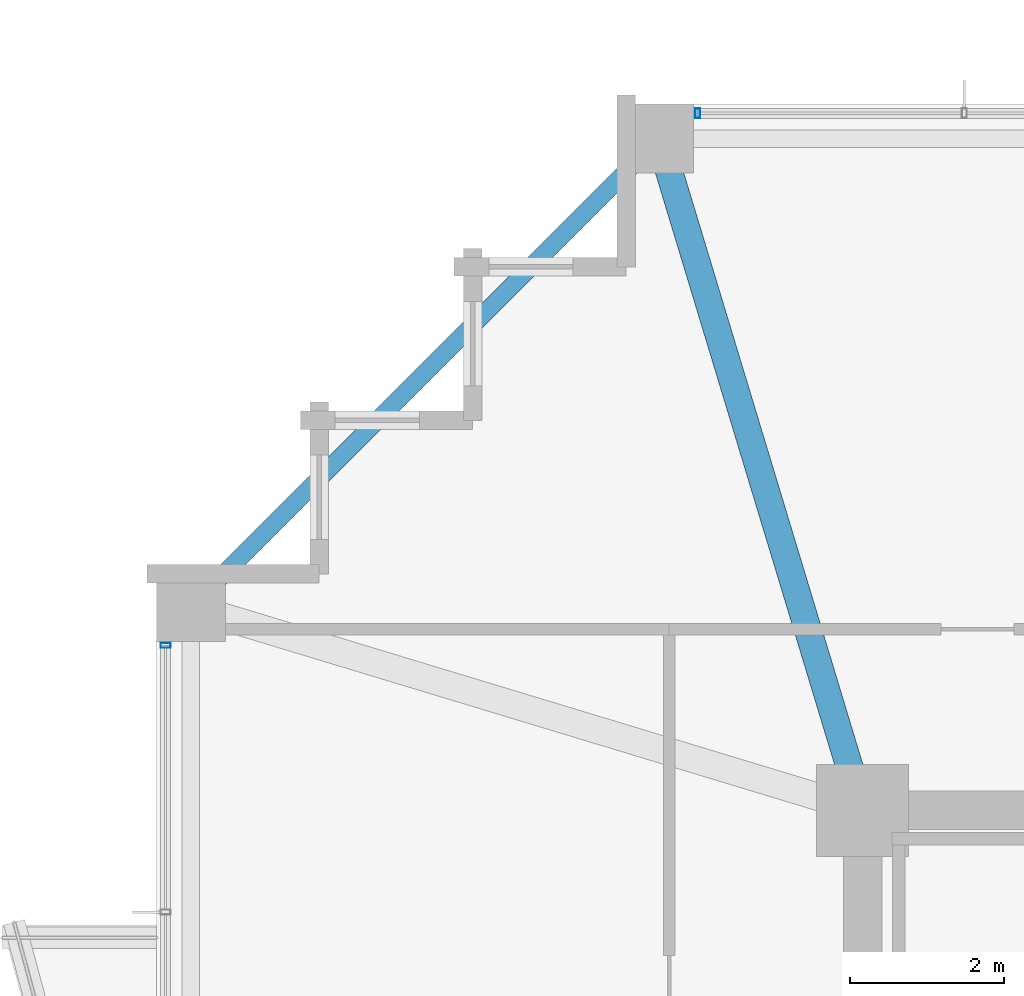
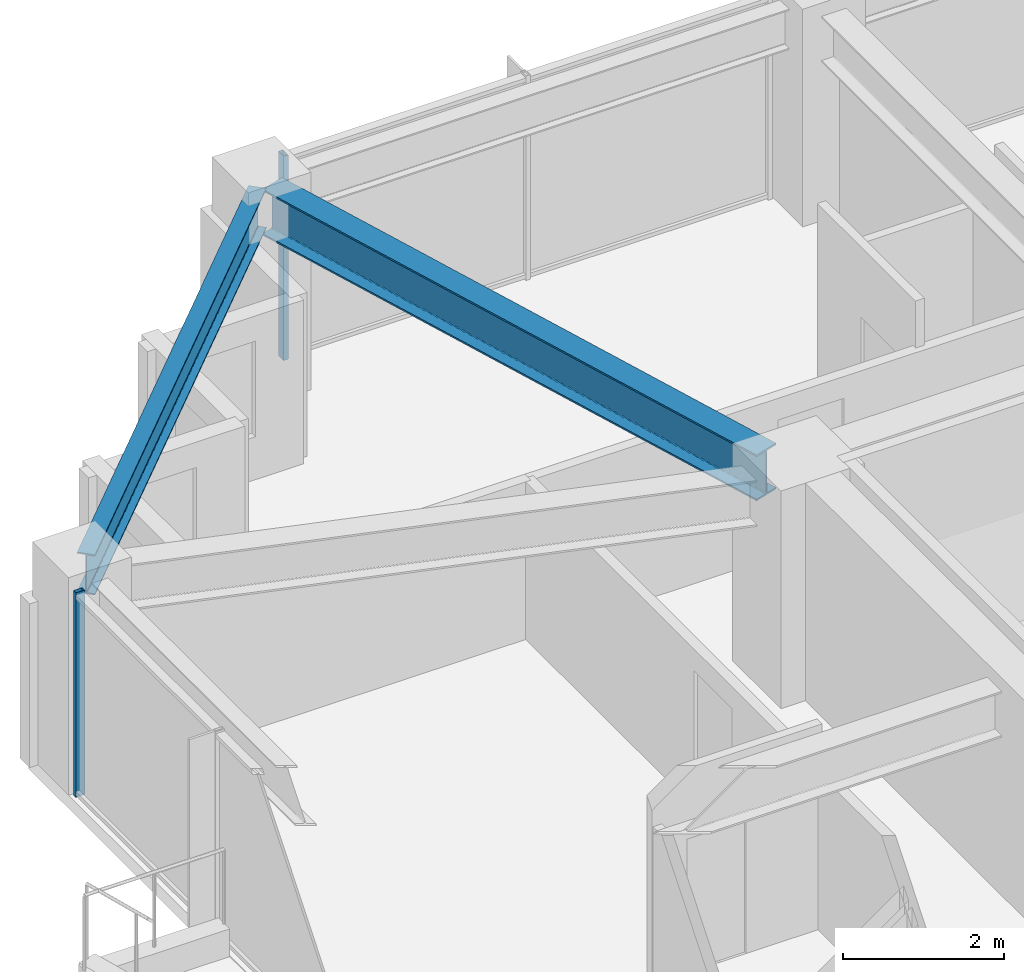
# One storey, part 19 of 35: 2 beams, 2 members, 2 elements without a shape of their own.
"""IFC4 building model written with IfcOpenShell, lengths in metres."""

from ifc_helpers import new_model, si_unit, direction, frame, origin, origin_2d, place, context, subcontext, project, spatial, hollow_rectangle, i_section, extrude, material, material_profile, profile_set, type_object, element, aggregate, save


model = new_model("IFC4")

# Units and contexts
model_context = context("Model", 3, precision=1e-05, world=origin(), true_north=direction((0.0, 1.0)))
body_context = subcontext(model_context, "Body", "Model", "MODEL_VIEW")
ifc_project = project(units=[si_unit("LENGTHUNIT", "METRE"), si_unit("AREAUNIT", "SQUARE_METRE"), si_unit("VOLUMEUNIT", "CUBIC_METRE"), si_unit("PLANEANGLEUNIT", "RADIAN"), si_unit("MASSUNIT", "GRAM", prefix="KILO")], contexts=[model_context])

# Site, building, storey
site_placement = place(None, origin())
site = spatial("IfcSite", under=ifc_project, at=site_placement, CompositionType="ELEMENT")
building_placement = place(site_placement, origin())
building = spatial("IfcBuilding", under=site, at=building_placement, Name="Kolvaren Belvedere", CompositionType="ELEMENT")
storey_placement = place(building_placement, frame((0.0, 0.0, 163.5)))
storey = spatial("IfcBuildingStorey", under=building, at=storey_placement, Name="L47", CompositionType="ELEMENT", Elevation=163.5)

# Beams
ifc_material_1 = material(Name="Structural steel ASTM A992 Grade 50", Category="steel")
ifc_material_profile_1 = material_profile(ifc_material_1, i_section(OverallWidth=0.35498046875, OverallDepth=0.696044921875, WebThickness=0.015380859375, FlangeThickness=0.02490234375, FilletRadius=0.02197265625, at=origin_2d()), Name="W27X146")
ifc_profile_set_1 = profile_set([ifc_material_profile_1], Name="Structural steel ASTM A992 Grade 50")
beam_type_1 = type_object("IfcBeamType", Name="BM-GIRD-W27X146", PredefinedType="BEAM", material=ifc_profile_set_1)
beam_1_placement = place(storey_placement, frame((-10.059326171875, 10.426513671875, 2.751953125), z_axis=(-0.289865629086, 0.957067352423, 0.0), x_axis=(-0.957067352423, -0.289865629086, 0.0)))
element("IfcBeam", 1, at=beam_1_placement, inside=storey, type_object=beam_type_1, Name="L47 Corner Core-to-Perimeter Girder CC4-N1", PredefinedType="BEAM", context=body_context, shape_type="SweptSolid", body=[
    extrude(i_section(OverallWidth=0.35498046875, OverallDepth=0.696044921875, WebThickness=0.015380859375, FlangeThickness=0.02490234375, FilletRadius=0.02197265625, at=origin_2d()), origin(), (0.0, 0.0, 1.0), 8.412353515625),
])
ifc_material_2 = material(Name="Structural steel ASTM A992 Grade 50", Category="steel")
ifc_material_profile_2 = material_profile(ifc_material_2, i_section(OverallWidth=0.22900390625, OverallDepth=0.612060546875, WebThickness=0.011962890625, FlangeThickness=0.01953125, FilletRadius=0.01806640625, at=origin_2d()), Name="W24X84")
ifc_profile_set_2 = profile_set([ifc_material_profile_2], Name="Structural steel ASTM A992 Grade 50")
beam_type_2 = type_object("IfcBeamType", Name="BM-SPAN-W24X84", PredefinedType="SPANDREL", material=ifc_profile_set_2)
beam_2_placement = place(storey_placement, frame((-12.693115234375, 18.5068359375, 2.7939453125), z_axis=(-0.707106781187, -0.707106781187, 0.0), x_axis=(0.707106781187, -0.707106781187, 0.0)))
element("IfcBeam", 2, at=beam_2_placement, inside=storey, type_object=beam_type_2, Name="L47 Perimeter Spandrel N1-W4", PredefinedType="SPANDREL", context=body_context, shape_type="SweptSolid", body=[
    extrude(i_section(OverallWidth=0.22900390625, OverallDepth=0.612060546875, WebThickness=0.011962890625, FlangeThickness=0.01953125, FilletRadius=0.01806640625, at=origin_2d()), origin(), (0.0, 0.0, 1.0), 8.221923828125),
])

# Curtain wall, member
ifc_material_3 = material(Name="Anodised pale-metal aluminium AA 6063-T6", Category="aluminium")
curtain_wall_type = type_object("IfcCurtainWallType", Name="CW-Z3-WAIST", PredefinedType="NOTDEFINED", material=ifc_material_3)
curtain_wall_1_placement = place(storey_placement, origin())
curtain_wall_1 = element("IfcCurtainWall", 3, at=curtain_wall_1_placement, inside=storey, type_object=curtain_wall_type, Name="L47 Unitised Curtain Wall FCW-L47-N-B1", PredefinedType="NOTDEFINED")
ifc_material_4 = material(Name="Anodised pale-metal aluminium AA 6063-T6", Category="aluminium")
ifc_material_profile_3 = material_profile(ifc_material_4, hollow_rectangle(XDim=0.06494140625, YDim=0.1298828125, WallThickness=0.00390625, at=origin_2d()), Name="ALU-MUL-130X65")
ifc_profile_set_3 = profile_set([ifc_material_profile_3], Name="Anodised pale-metal aluminium AA 6063-T6")
member_type = type_object("IfcMemberType", Name="CW-MUL-130", PredefinedType="MULLION", material=ifc_profile_set_3)
member_1_placement = place(storey_placement, frame((-12.047607421875, 18.97998046875, 0.0), z_axis=(0.0, 0.0, 1.0), x_axis=(1.0, 0.0, 0.0)))
member_1 = element("IfcMember", 4, at=member_1_placement, type_object=member_type, Name="FCW-L47-N-B1 Unitised Mullion 1", PredefinedType="MULLION", context=body_context, shape_type="SweptSolid", body=[
    extrude(hollow_rectangle(XDim=0.06494140625, YDim=0.1298828125, WallThickness=0.00390625, at=origin_2d()), origin(), (0.0, 0.0, 1.0), 3.10009765625),
])
aggregate(curtain_wall_1, [member_1])

curtain_wall_2_placement = place(storey_placement, origin())
curtain_wall_2 = element("IfcCurtainWall", 5, at=curtain_wall_2_placement, inside=storey, type_object=curtain_wall_type, Name="L47 Unitised Curtain Wall FCW-L47-W2-B2", PredefinedType="NOTDEFINED")
member_2_placement = place(storey_placement, frame((-18.97998046875, 12.047607421875, 0.0), z_axis=(0.0, 0.0, 1.0), x_axis=(0.0, 1.0, 0.0)))
member_2 = element("IfcMember", 6, at=member_2_placement, type_object=member_type, Name="FCW-L47-W2-B2 Unitised Mullion 3", PredefinedType="MULLION", context=body_context, shape_type="SweptSolid", body=[
    extrude(hollow_rectangle(XDim=0.06494140625, YDim=0.1298828125, WallThickness=0.00390625, at=origin_2d()), origin(), (0.0, 0.0, 1.0), 3.10009765625),
])
aggregate(curtain_wall_2, [member_2])

save(model, "model.ifc")
